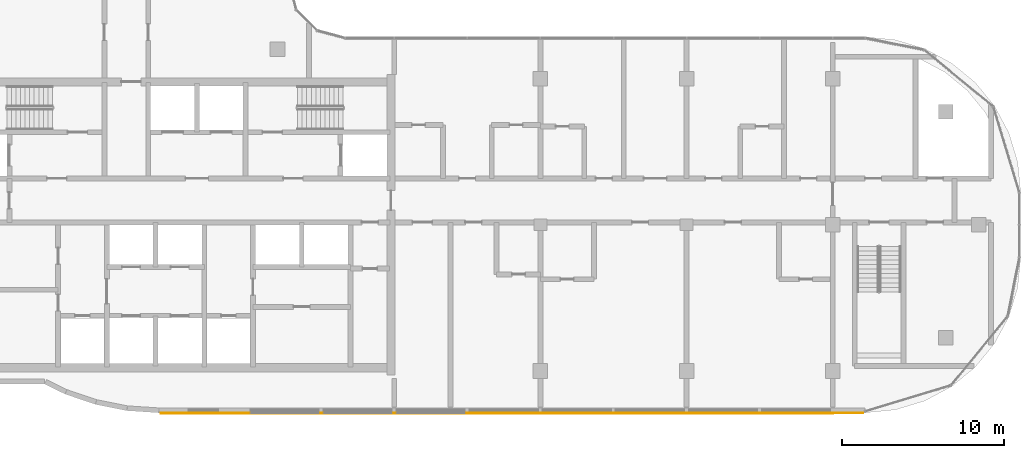
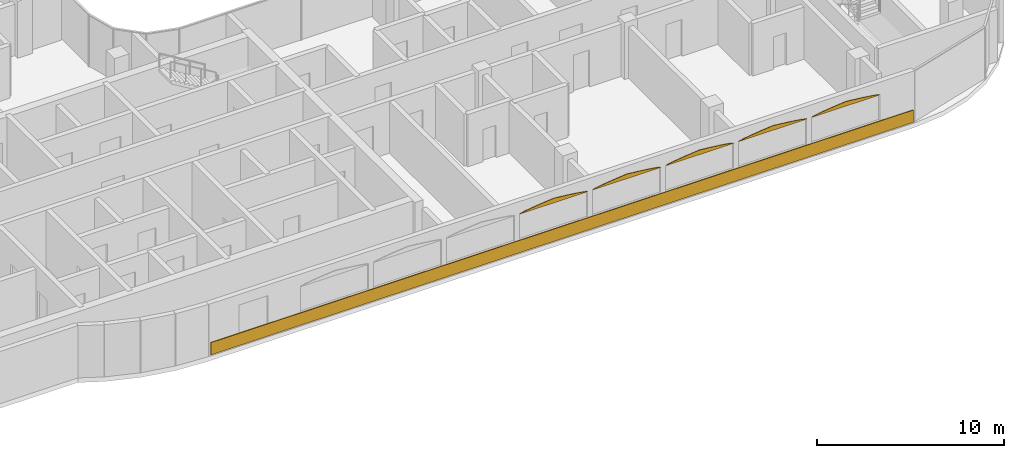
# One storey, part 17 of 18: 6 coverings.
"""IFC4 building model written with IfcOpenShell, lengths in metres."""

from ifc_helpers import new_model, si_unit, direction, frame, origin, origin_2d, place, context, subcontext, project, spatial, polyline, rectangle, outline, extrude, material, layer, layer_set, type_object, element, save


model = new_model("IFC4")

# Units and contexts
model_context = context("Model", 3, precision=1e-05, world=origin(), true_north=direction((0.0, 1.0)))
body_context = subcontext(model_context, "Body", "Model", "MODEL_VIEW")
ifc_project = project(units=[si_unit("LENGTHUNIT", "METRE"), si_unit("AREAUNIT", "SQUARE_METRE"), si_unit("VOLUMEUNIT", "CUBIC_METRE"), si_unit("PLANEANGLEUNIT", "RADIAN"), si_unit("MASSUNIT", "GRAM", prefix="KILO")], contexts=[model_context])

# Site, building, storey
site_placement = place(None, origin())
site = spatial("IfcSite", under=ifc_project, at=site_placement, CompositionType="ELEMENT")
building_placement = place(site_placement, origin())
building = spatial("IfcBuilding", under=site, at=building_placement, Name="Ogive Portal Towers", CompositionType="ELEMENT")
storey_placement = place(building_placement, frame((0.0, 0.0, 240.199951171875)))
storey = spatial("IfcBuildingStorey", under=building, at=storey_placement, Name="L60", CompositionType="ELEMENT", Elevation=240.199951171875)

# Coverings
ifc_material = material(Name="Limestone cladding on lightweight block wall", Category="masonry")
ifc_layer_1 = layer(ifc_material, 0.0400390625)
ifc_layer_set_1 = layer_set([ifc_layer_1], Name="LANCET HEAD STONE")
covering_type_1 = type_object("IfcCoveringType", Name="LANCET HEAD STONE", PredefinedType="CLADDING", material=ifc_layer_set_1)
for number, where, z_axis, x_axis, name in (
    (1, (63.14990234375, 18.925048828125, 2.60009765625), (0.0, 0.99994891279, 0.010108007188), (1.0, 0.0, 0.0), "Lancet head"),
    (2, (67.64990234375, 18.925048828125, 2.60009765625), (0.0, 0.99994891279, 0.010108007188), (1.0, 0.0, 0.0), "Lancet head"),
    (3, (72.14990234375, 18.925048828125, 2.60009765625), (0.0, 0.99994891279, 0.010108007188), (1.0, 0.0, 0.0), "Lancet head"),
    (4, (76.64990234375, 18.925048828125, 2.60009765625), (0.0, 0.99994891279, 0.010108007188), (1.0, 0.0, 0.0), "Lancet head"),
    (5, (81.14990234375, 18.925048828125, 2.60009765625), (0.0, 0.99994891279, 0.010108007188), (1.0, 0.0, 0.0), "Lancet head"),
):
    element("IfcCovering", number, at=place(storey_placement, frame(where, z_axis=z_axis, x_axis=x_axis)), inside=storey, type_object=covering_type_1, Name=name, PredefinedType="CLADDING", context=body_context, shape_type="SweptSolid", body=[
        extrude(outline(polyline([(0.0, 0.0), (4.2001953125, 0.0), (4.107177734375, -0.037356542888502466), (3.9375, -0.0749547461543492), (3.7177734375, -0.1125554171953884), (3.45751953125, -0.1499094923086984), (3.162353515625, -0.1875101633497376), (2.836181640625, -0.22486423846304765), (2.481201171875, -0.26246490950408685), (2.10009765625, -0.3000631127699335), (1.718994140625, -0.26246490950408685), (1.364013671875, -0.22486423846304765), (1.037841796875, -0.1875101633497376), (0.74267578125, -0.1499094923086984), (0.482421875, -0.1125554171953884), (0.2626953125, -0.0749547461543492), (0.093017578125, -0.037356542888502466), (0.0, 0.0)])), origin(), (0.0, 0.0, -1.0), 0.0400390625),
    ])
ifc_layer_2 = layer(ifc_material, 0.050048828125)
ifc_layer_set_2 = layer_set([ifc_layer_2], Name="SCREEN PERFORATED STONE")
covering_type_2 = type_object("IfcCoveringType", Name="SCREEN PERFORATED STONE", PredefinedType="CLADDING", material=ifc_layer_set_2)
covering_placement = place(storey_placement, frame((65.7490234375, 18.89990234375, 0.10009765625), z_axis=(0.0, 0.0, 1.0), x_axis=(1.0, 0.0, 0.0)))
element("IfcCovering", 6, at=covering_placement, inside=storey, type_object=covering_type_2, Name="Tracery screen", PredefinedType="CLADDING", context=body_context, shape_type="SweptSolid", body=[
    extrude(rectangle(XDim=43.2783203125, YDim=0.050048828125, at=origin_2d()), origin(), (0.0, 0.0, 1.0), 0.800048828125),
])

save(model, "model.ifc")
